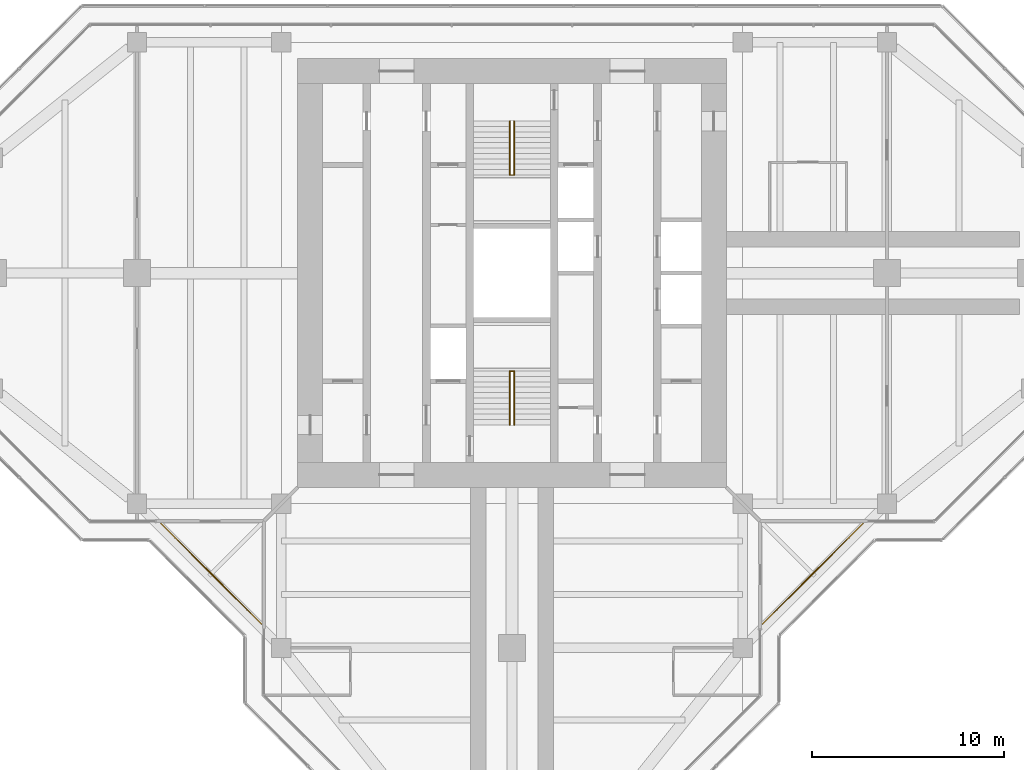
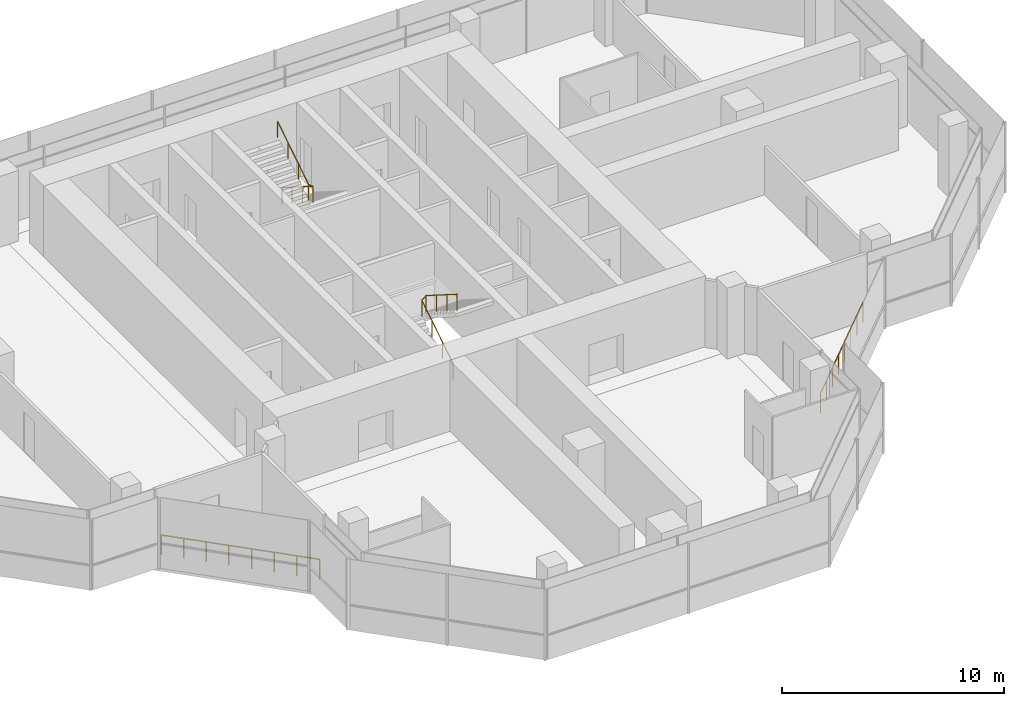
# One storey, part 15 of 15: 4 railings.
"""IFC4 building model written with IfcOpenShell, lengths in metres."""

from ifc_helpers import new_model, si_unit, direction, frame, origin, origin_2d, place, context, subcontext, project, spatial, circle, extrude, material, type_object, element, save


model = new_model("IFC4")

# Units and contexts
model_context = context("Model", 3, precision=1e-05, world=origin(), true_north=direction((0.0, 1.0)))
body_context = subcontext(model_context, "Body", "Model", "MODEL_VIEW")
ifc_project = project(units=[si_unit("LENGTHUNIT", "METRE"), si_unit("AREAUNIT", "SQUARE_METRE"), si_unit("VOLUMEUNIT", "CUBIC_METRE"), si_unit("PLANEANGLEUNIT", "RADIAN"), si_unit("MASSUNIT", "GRAM", prefix="KILO")], contexts=[model_context])

# Site, building, storey
site_placement = place(None, origin())
site = spatial("IfcSite", under=ifc_project, at=site_placement, CompositionType="ELEMENT")
building_placement = place(site_placement, origin())
building = spatial("IfcBuilding", under=site, at=building_placement, Name="Mizan Broadcast Tower", CompositionType="ELEMENT")
storey_placement = place(building_placement, frame((0.0, 0.0, 302.39990234375)))
storey = spatial("IfcBuildingStorey", under=building, at=storey_placement, Name="L72", CompositionType="ELEMENT", Elevation=302.39990234375)

# Railings
ifc_material_1 = material(Name="Stainless steel and glass guard", Category="steel")
railing_type_1 = type_object("IfcRailingType", Name="GUARD 1100", PredefinedType="GUARDRAIL", material=ifc_material_1)
railing_1_placement = place(storey_placement, frame((-18.2578125, -13.030029296875, 0.0)))
element("IfcRailing", 1, at=railing_1_placement, inside=storey, type_object=railing_type_1, Name="Winter garden guard L72 W", PredefinedType="GUARDRAIL", context=body_context, shape_type="SweptSolid", body=[
    extrude(circle(Radius=0.02392578125, at=origin_2d()), frame((0.0, 0.0, 1.076171875), z_axis=(0.707106781187, -0.707106781187, 0.0), x_axis=(0.707106781187, 0.707106781187, 0.0)), (0.0, 0.0, 1.0), 7.393310546875),
    extrude(circle(Radius=0.02099609375, at=origin_2d()), origin(), (0.0, 0.0, 1.0), 1.052001953125),
    extrude(circle(Radius=0.02099609375, at=origin_2d()), frame((0.746826171875, -0.746826171875, 0.0)), (0.0, 0.0, 1.0), 1.052001953125),
    extrude(circle(Radius=0.02099609375, at=origin_2d()), frame((1.49365234375, -1.49365234375, 0.0)), (0.0, 0.0, 1.0), 1.052001953125),
    extrude(circle(Radius=0.02099609375, at=origin_2d()), frame((2.240478515625, -2.240478515625, 0.0)), (0.0, 0.0, 1.0), 1.052001953125),
    extrude(circle(Radius=0.02099609375, at=origin_2d()), frame((2.9873046875, -2.9873046875, 0.0)), (0.0, 0.0, 1.0), 1.052001953125),
    extrude(circle(Radius=0.02099609375, at=origin_2d()), frame((3.734130859375, -3.734130859375, 0.0)), (0.0, 0.0, 1.0), 1.052001953125),
    extrude(circle(Radius=0.02099609375, at=origin_2d()), frame((4.48095703125, -4.48095703125, 0.0)), (0.0, 0.0, 1.0), 1.052001953125),
    extrude(circle(Radius=0.02099609375, at=origin_2d()), frame((5.227783203125, -5.227783203125, 0.0)), (0.0, 0.0, 1.0), 1.052001953125),
])
railing_2_placement = place(storey_placement, frame((13.030029296875, -18.2578125, 0.0)))
element("IfcRailing", 2, at=railing_2_placement, inside=storey, type_object=railing_type_1, Name="Winter garden guard L72 S", PredefinedType="GUARDRAIL", context=body_context, shape_type="SweptSolid", body=[
    extrude(circle(Radius=0.02392578125, at=origin_2d()), frame((0.0, 0.0, 1.076171875), z_axis=(0.707106781187, 0.707106781187, 0.0), x_axis=(-0.707106781187, 0.707106781187, 0.0)), (0.0, 0.0, 1.0), 7.393310546875),
    extrude(circle(Radius=0.02099609375, at=origin_2d()), origin(), (0.0, 0.0, 1.0), 1.052001953125),
    extrude(circle(Radius=0.02099609375, at=origin_2d()), frame((0.746826171875, 0.746826171875, 0.0)), (0.0, 0.0, 1.0), 1.052001953125),
    extrude(circle(Radius=0.02099609375, at=origin_2d()), frame((1.49365234375, 1.49365234375, 0.0)), (0.0, 0.0, 1.0), 1.052001953125),
    extrude(circle(Radius=0.02099609375, at=origin_2d()), frame((2.240478515625, 2.240478515625, 0.0)), (0.0, 0.0, 1.0), 1.052001953125),
    extrude(circle(Radius=0.02099609375, at=origin_2d()), frame((2.9873046875, 2.9873046875, 0.0)), (0.0, 0.0, 1.0), 1.052001953125),
    extrude(circle(Radius=0.02099609375, at=origin_2d()), frame((3.734130859375, 3.734130859375, 0.0)), (0.0, 0.0, 1.0), 1.052001953125),
    extrude(circle(Radius=0.02099609375, at=origin_2d()), frame((4.48095703125, 4.48095703125, 0.0)), (0.0, 0.0, 1.0), 1.052001953125),
    extrude(circle(Radius=0.02099609375, at=origin_2d()), frame((5.227783203125, 5.227783203125, 0.0)), (0.0, 0.0, 1.0), 1.052001953125),
])
ifc_material_2 = material(Name="Stainless steel", Category="steel")
railing_type_2 = type_object("IfcRailingType", Name="HANDRAIL 50", PredefinedType="HANDRAIL", material=ifc_material_2)
railing_3_placement = place(storey_placement, frame((-0.110107421875, -7.89990234375, 0.177490234375)))
element("IfcRailing", 3, at=railing_3_placement, inside=storey, type_object=railing_type_2, Name="Stair A handrail", PredefinedType="HANDRAIL", context=body_context, shape_type="SweptSolid", body=[
    extrude(circle(Radius=0.02392578125, at=origin_2d()), frame((0.0, 0.0, 0.8759765625), z_axis=(0.0, 0.844887892834, 0.53494340686), x_axis=(-1.0, 0.0, 0.0)), (0.0, 0.0, 1.0), 3.313720703125),
    extrude(circle(Radius=0.02392578125, at=origin_2d()), frame((0.0, 2.7998046875, 2.6484375), z_axis=(0.779011685263, 0.0, 0.627009405212), x_axis=(0.0, 1.0, 0.0)), (0.0, 0.0, 1.0), 0.28271484375),
    extrude(circle(Radius=0.02392578125, at=origin_2d()), frame((0.22021484375, 2.7998046875, 2.82568359375), z_axis=(0.0, -0.844887892834, 0.53494340686), x_axis=(1.0, 0.0, 0.0)), (0.0, 0.0, 1.0), 3.313720703125),
    extrude(circle(Radius=0.02099609375, at=origin_2d()), origin(), (0.0, 0.0, 1.0), 0.851806640625),
    extrude(circle(Radius=0.02099609375, at=origin_2d()), frame((0.0, 0.933349609375, 0.5908203125)), (0.0, 0.0, 1.0), 0.851806640625),
    extrude(circle(Radius=0.02099609375, at=origin_2d()), frame((0.0, 1.866455078125, 1.181884765625)), (0.0, 0.0, 1.0), 0.851806640625),
    extrude(circle(Radius=0.02099609375, at=origin_2d()), frame((0.0, 2.7998046875, 1.772705078125)), (0.0, 0.0, 1.0), 0.851806640625),
    extrude(circle(Radius=0.02099609375, at=origin_2d()), frame((0.22021484375, 2.7998046875, 1.949951171875)), (0.0, 0.0, 1.0), 0.851806640625),
    extrude(circle(Radius=0.02099609375, at=origin_2d()), frame((0.22021484375, 1.866455078125, 2.540771484375)), (0.0, 0.0, 1.0), 0.851806640625),
    extrude(circle(Radius=0.02099609375, at=origin_2d()), frame((0.22021484375, 0.933349609375, 3.1318359375)), (0.0, 0.0, 1.0), 0.851806640625),
    extrude(circle(Radius=0.02099609375, at=origin_2d()), frame((0.22021484375, 0.0, 3.72265625)), (0.0, 0.0, 1.0), 0.851806640625),
])
railing_4_placement = place(storey_placement, frame((0.110107421875, 7.89990234375, 0.177490234375)))
element("IfcRailing", 4, at=railing_4_placement, inside=storey, type_object=railing_type_2, Name="Stair B handrail", PredefinedType="HANDRAIL", context=body_context, shape_type="SweptSolid", body=[
    extrude(circle(Radius=0.02392578125, at=origin_2d()), frame((0.0, 0.0, 0.8759765625), z_axis=(0.0, -0.844887892834, 0.53494340686), x_axis=(1.0, 0.0, 0.0)), (0.0, 0.0, 1.0), 3.313720703125),
    extrude(circle(Radius=0.02392578125, at=origin_2d()), frame((0.0, -2.7998046875, 2.6484375), z_axis=(-0.779011685263, 0.0, 0.627009405212), x_axis=(0.0, -1.0, 0.0)), (0.0, 0.0, 1.0), 0.28271484375),
    extrude(circle(Radius=0.02392578125, at=origin_2d()), frame((-0.22021484375, -2.7998046875, 2.82568359375), z_axis=(0.0, 0.844887892834, 0.53494340686), x_axis=(-1.0, 0.0, 0.0)), (0.0, 0.0, 1.0), 3.313720703125),
    extrude(circle(Radius=0.02099609375, at=origin_2d()), origin(), (0.0, 0.0, 1.0), 0.851806640625),
    extrude(circle(Radius=0.02099609375, at=origin_2d()), frame((0.0, -0.933349609375, 0.5908203125)), (0.0, 0.0, 1.0), 0.851806640625),
    extrude(circle(Radius=0.02099609375, at=origin_2d()), frame((0.0, -1.866455078125, 1.181884765625)), (0.0, 0.0, 1.0), 0.851806640625),
    extrude(circle(Radius=0.02099609375, at=origin_2d()), frame((0.0, -2.7998046875, 1.772705078125)), (0.0, 0.0, 1.0), 0.851806640625),
    extrude(circle(Radius=0.02099609375, at=origin_2d()), frame((-0.22021484375, -2.7998046875, 1.949951171875)), (0.0, 0.0, 1.0), 0.851806640625),
    extrude(circle(Radius=0.02099609375, at=origin_2d()), frame((-0.22021484375, -1.866455078125, 2.540771484375)), (0.0, 0.0, 1.0), 0.851806640625),
    extrude(circle(Radius=0.02099609375, at=origin_2d()), frame((-0.22021484375, -0.933349609375, 3.1318359375)), (0.0, 0.0, 1.0), 0.851806640625),
    extrude(circle(Radius=0.02099609375, at=origin_2d()), frame((-0.22021484375, 0.0, 3.72265625)), (0.0, 0.0, 1.0), 0.851806640625),
])

save(model, "model.ifc")
